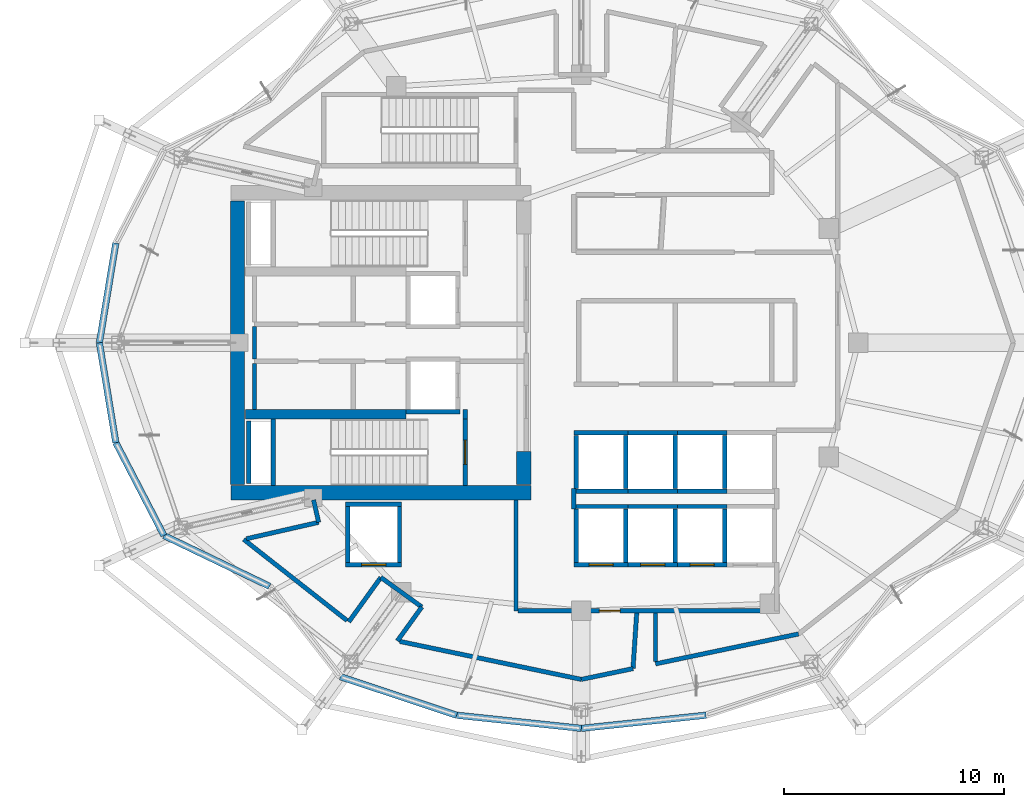
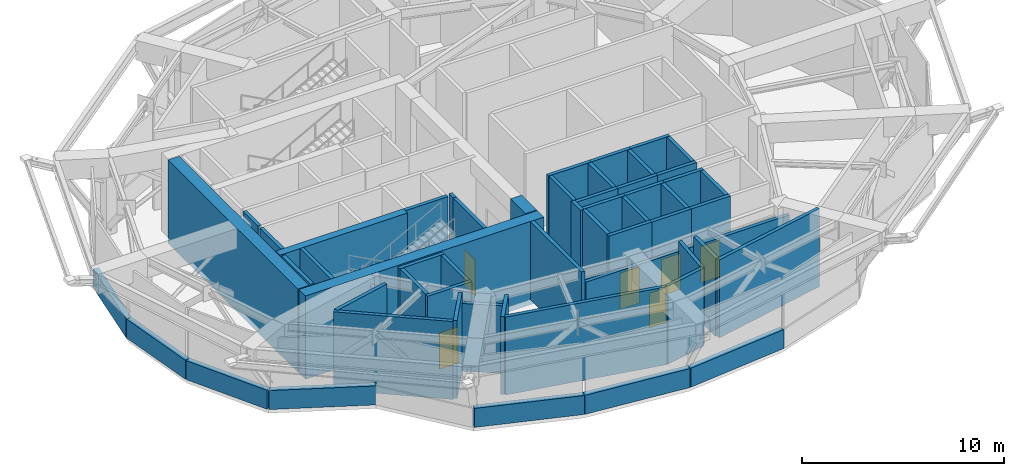
# One storey, part 8 of 13: 56 walls, 6 doors, 6 openings.
"""IFC4 building model written with IfcOpenShell, lengths in metres."""

from ifc_helpers import new_model, si_unit, direction, frame, frame_2d, origin, place, context, subcontext, project, spatial, rectangle, extrude, material, layer, layer_set, type_object, element, fill, save


model = new_model("IFC4")

# Units and contexts
model_context = context("Model", 3, precision=1e-05, world=origin(), true_north=direction((0.0, 1.0)))
body_context = subcontext(model_context, "Body", "Model", "MODEL_VIEW")
ifc_project = project(units=[si_unit("LENGTHUNIT", "METRE"), si_unit("AREAUNIT", "SQUARE_METRE"), si_unit("VOLUMEUNIT", "CUBIC_METRE"), si_unit("PLANEANGLEUNIT", "RADIAN"), si_unit("MASSUNIT", "GRAM", prefix="KILO")], contexts=[model_context])

# Site, building, storey
site_placement = place(None, origin())
site = spatial("IfcSite", under=ifc_project, at=site_placement, CompositionType="ELEMENT")
building_placement = place(site_placement, origin())
building = spatial("IfcBuilding", under=site, at=building_placement, Name="Kolvaren Gate Tower and Convention Centre", CompositionType="ELEMENT")
storey_placement = place(building_placement, frame((0.0, 0.0, 186.89990234375)))
storey = spatial("IfcBuildingStorey", under=building, at=storey_placement, Name="L49", CompositionType="ELEMENT", Elevation=186.89990234375)

# Walls
ifc_material_1 = material(Name="Autoclaved Aerated Masonry Blockwork Class 4 (4.0 MPa)", Category="masonry")
ifc_layer_1 = layer(ifc_material_1, 0.199951171875)
ifc_layer_set_1 = layer_set([ifc_layer_1], Name="Autoclaved Aerated Masonry Blockwork Class 4 (4.0 MPa)")
wall_type_1 = type_object("IfcWallType", Name="ARCH-WL-SHAFT-200", PredefinedType="SOLIDWALL", material=ifc_layer_set_1)
wall_1_placement = place(storey_placement, frame((22.14990234375, 23.860107421875, 0.0), z_axis=(0.0, 0.0, 1.0), x_axis=(1.0, 0.0, 0.0)))
element("IfcWall", 1, at=wall_1_placement, inside=storey, type_object=wall_type_1, Name="Elevator FF-02 L49 Fire Shaft Wall S", PredefinedType="SOLIDWALL", context=body_context, shape_type="SweptSolid", body=[
    extrude(rectangle(XDim=2.4501953125, YDim=0.199951171875, at=frame_2d((1.22509765625, 0.0))), origin(), (0.0, 0.0, 1.0), 4.72021484375),
])
wall_2_placement = place(storey_placement, frame((19.39990234375, 19.64990234375, 0.0), z_axis=(0.0, 0.0, 1.0), x_axis=(1.0, 0.0, 0.0)))
element("IfcWall", 2, at=wall_2_placement, inside=storey, type_object=wall_type_1, Name="Elevator SV-01 L49 Fire Shaft Wall N", PredefinedType="SOLIDWALL", context=body_context, shape_type="SweptSolid", body=[
    extrude(rectangle(XDim=2.550048828125, YDim=0.199951171875, at=frame_2d((1.27490234375, 0.0))), origin(), (0.0, 0.0, 1.0), 4.72021484375),
])

# Wall, opening, door
wall_3_placement = place(storey_placement, frame((19.39990234375, 16.89990234375, 0.0), z_axis=(0.0, 0.0, 1.0), x_axis=(1.0, 0.0, 0.0)))
wall_3 = element("IfcWall", 3, at=wall_3_placement, inside=storey, type_object=wall_type_1, Name="Elevator SV-01 L49 Fire Shaft Wall S", PredefinedType="SOLIDWALL", context=body_context, shape_type="SweptSolid", body=[
    extrude(rectangle(XDim=2.550048828125, YDim=0.199951171875, at=frame_2d((1.27490234375, 0.0))), origin(), (0.0, 0.0, 1.0), 4.72021484375),
])
opening_1_placement = place(wall_3_placement, frame((0.72509765625, 0.0, 0.0)))
opening_1 = element("IfcOpeningElement", 4, at=opening_1_placement, cuts=wall_3, Name="Opening LD", PredefinedType="OPENING", context=body_context, shape_type="SweptSolid", body=[
    extrude(rectangle(XDim=1.10009765625, YDim=2.199951171875, at=frame_2d((0.550048828125, 1.10009765625))), frame((0.0, 0.10986328125, 0.0), z_axis=(0.0, -1.0, 0.0), x_axis=(1.0, 0.0, 0.0)), (0.0, 0.0, 1.0), 0.219970703125),
])
ifc_material_2 = material(Name="Brushed Stainless Steel Grade 316L", Category="steel")
door_type_1 = type_object("IfcDoorType", Name="ARCH-DR-LIFT-1100", OperationType="SLIDING_TO_LEFT", PredefinedType="DOOR", material=ifc_material_2)
door_1_placement = place(opening_1_placement, origin())
door_1 = element("IfcDoor", 5, at=door_1_placement, inside=storey, type_object=door_type_1, Name="Elevator SV-01 L49 Sliding Landing Door", OperationType="SLIDING_TO_LEFT", OverallHeight=2.199951171875, OverallWidth=1.10009765625, PredefinedType="DOOR", context=body_context, shape_type="SweptSolid", body=[
    extrude(rectangle(XDim=1.10009765625, YDim=2.199951171875, at=frame_2d((0.550048828125, 1.10009765625))), frame((0.0, 0.02490234375, 0.0), z_axis=(0.0, -1.0, 0.0), x_axis=(1.0, 0.0, 0.0)), (0.0, 0.0, 1.0), 0.050048828125),
])
fill(opening_1, door_1)

# Walls
for number, where, z_axis, x_axis, name in (
    (6, (19.5, 17.010009765625, 0.0), (0.0, 0.0, 1.0), (0.0, 1.0, 0.0), "Elevator SV-01 L49 Fire Shaft Wall W"),
    (7, (21.85009765625, 17.010009765625, 0.0), (0.0, 0.0, 1.0), (0.0, 1.0, 0.0), "Elevator SV-01 L49 Fire Shaft Wall E"),
):
    element("IfcWall", number, at=place(storey_placement, frame(where, z_axis=z_axis, x_axis=x_axis)), inside=storey, type_object=wall_type_1, Name=name, PredefinedType="SOLIDWALL", context=body_context, shape_type="SweptSolid", body=[
        extrude(rectangle(XDim=2.530029296875, YDim=0.199951171875, at=frame_2d((1.26513671875, 0.0))), origin(), (0.0, 0.0, 1.0), 4.72021484375),
    ])
wall_4_placement = place(storey_placement, frame((29.800048828125, 19.550048828125, 0.0), z_axis=(0.0, 0.0, 1.0), x_axis=(1.0, 0.0, 0.0)))
element("IfcWall", 8, at=wall_4_placement, inside=storey, type_object=wall_type_1, Name="Elevator PL-05 L49 Fire Shaft Wall N", PredefinedType="SOLIDWALL", context=body_context, shape_type="SweptSolid", body=[
    extrude(rectangle(XDim=2.449951171875, YDim=0.199951171875, at=frame_2d((1.22509765625, 0.0))), origin(), (0.0, 0.0, 1.0), 4.72021484375),
])

# Wall, opening, door
wall_5_placement = place(storey_placement, frame((29.800048828125, 16.89990234375, 0.0), z_axis=(0.0, 0.0, 1.0), x_axis=(1.0, 0.0, 0.0)))
wall_5 = element("IfcWall", 9, at=wall_5_placement, inside=storey, type_object=wall_type_1, Name="Elevator PL-05 L49 Fire Shaft Wall S", PredefinedType="SOLIDWALL", context=body_context, shape_type="SweptSolid", body=[
    extrude(rectangle(XDim=2.449951171875, YDim=0.199951171875, at=frame_2d((1.22509765625, 0.0))), origin(), (0.0, 0.0, 1.0), 4.72021484375),
])
opening_2_placement = place(wall_5_placement, frame((0.675048828125, 0.0, 0.0)))
opening_2 = element("IfcOpeningElement", 10, at=opening_2_placement, cuts=wall_5, Name="Opening LD", PredefinedType="OPENING", context=body_context, shape_type="SweptSolid", body=[
    extrude(rectangle(XDim=1.10009765625, YDim=2.199951171875, at=frame_2d((0.550048828125, 1.10009765625))), frame((0.0, 0.10986328125, 0.0), z_axis=(0.0, -1.0, 0.0), x_axis=(1.0, 0.0, 0.0)), (0.0, 0.0, 1.0), 0.219970703125),
])
door_2_placement = place(opening_2_placement, origin())
door_2 = element("IfcDoor", 11, at=door_2_placement, inside=storey, type_object=door_type_1, Name="Elevator PL-05 L49 Sliding Landing Door", OperationType="SLIDING_TO_LEFT", OverallHeight=2.199951171875, OverallWidth=1.10009765625, PredefinedType="DOOR", context=body_context, shape_type="SweptSolid", body=[
    extrude(rectangle(XDim=1.10009765625, YDim=2.199951171875, at=frame_2d((0.550048828125, 1.10009765625))), frame((0.0, 0.02490234375, 0.0), z_axis=(0.0, -1.0, 0.0), x_axis=(1.0, 0.0, 0.0)), (0.0, 0.0, 1.0), 0.050048828125),
])
fill(opening_2, door_2)

# Walls
for number, where, z_axis, x_axis, name in (
    (12, (29.89990234375, 17.010009765625, 0.0), (0.0, 0.0, 1.0), (0.0, 1.0, 0.0), "Elevator PL-05 L49 Fire Shaft Wall W"),
    (13, (32.14990234375, 17.010009765625, 0.0), (0.0, 0.0, 1.0), (0.0, 1.0, 0.0), "Elevator PL-05 L49 Fire Shaft Wall E"),
):
    element("IfcWall", number, at=place(storey_placement, frame(where, z_axis=z_axis, x_axis=x_axis)), inside=storey, type_object=wall_type_1, Name=name, PredefinedType="SOLIDWALL", context=body_context, shape_type="SweptSolid", body=[
        extrude(rectangle(XDim=2.429931640625, YDim=0.199951171875, at=frame_2d((1.21484375, 0.0))), origin(), (0.0, 0.0, 1.0), 4.72021484375),
    ])
wall_6_placement = place(storey_placement, frame((32.25, 19.550048828125, 0.0), z_axis=(0.0, 0.0, 1.0), x_axis=(1.0, 0.0, 0.0)))
element("IfcWall", 14, at=wall_6_placement, inside=storey, type_object=wall_type_1, Name="Elevator PL-06 L49 Fire Shaft Wall N", PredefinedType="SOLIDWALL", context=body_context, shape_type="SweptSolid", body=[
    extrude(rectangle(XDim=2.25, YDim=0.199951171875, at=frame_2d((1.125, 0.0))), origin(), (0.0, 0.0, 1.0), 4.72021484375),
])

# Wall, opening, door
wall_7_placement = place(storey_placement, frame((32.25, 16.89990234375, 0.0), z_axis=(0.0, 0.0, 1.0), x_axis=(1.0, 0.0, 0.0)))
wall_7 = element("IfcWall", 15, at=wall_7_placement, inside=storey, type_object=wall_type_1, Name="Elevator PL-06 L49 Fire Shaft Wall S", PredefinedType="SOLIDWALL", context=body_context, shape_type="SweptSolid", body=[
    extrude(rectangle(XDim=2.25, YDim=0.199951171875, at=frame_2d((1.125, 0.0))), origin(), (0.0, 0.0, 1.0), 4.72021484375),
])
opening_3_placement = place(wall_7_placement, frame((0.574951171875, 0.0, 0.0)))
opening_3 = element("IfcOpeningElement", 16, at=opening_3_placement, cuts=wall_7, Name="Opening LD", PredefinedType="OPENING", context=body_context, shape_type="SweptSolid", body=[
    extrude(rectangle(XDim=1.10009765625, YDim=2.199951171875, at=frame_2d((0.550048828125, 1.10009765625))), frame((0.0, 0.10986328125, 0.0), z_axis=(0.0, -1.0, 0.0), x_axis=(1.0, 0.0, 0.0)), (0.0, 0.0, 1.0), 0.219970703125),
])
door_3_placement = place(opening_3_placement, origin())
door_3 = element("IfcDoor", 17, at=door_3_placement, inside=storey, type_object=door_type_1, Name="Elevator PL-06 L49 Sliding Landing Door", OperationType="SLIDING_TO_LEFT", OverallHeight=2.199951171875, OverallWidth=1.10009765625, PredefinedType="DOOR", context=body_context, shape_type="SweptSolid", body=[
    extrude(rectangle(XDim=1.10009765625, YDim=2.199951171875, at=frame_2d((0.550048828125, 1.10009765625))), frame((0.0, 0.02490234375, 0.0), z_axis=(0.0, -1.0, 0.0), x_axis=(1.0, 0.0, 0.0)), (0.0, 0.0, 1.0), 0.050048828125),
])
fill(opening_3, door_3)

# Walls
wall_8_placement = place(storey_placement, frame((34.39990234375, 17.010009765625, 0.0), z_axis=(0.0, 0.0, 1.0), x_axis=(0.0, 1.0, 0.0)))
element("IfcWall", 18, at=wall_8_placement, inside=storey, type_object=wall_type_1, Name="Elevator PL-06 L49 Fire Shaft Wall E", PredefinedType="SOLIDWALL", context=body_context, shape_type="SweptSolid", body=[
    extrude(rectangle(XDim=2.429931640625, YDim=0.199951171875, at=frame_2d((1.21484375, 0.0))), origin(), (0.0, 0.0, 1.0), 4.72021484375),
])
wall_9_placement = place(storey_placement, frame((34.5, 19.550048828125, 0.0), z_axis=(0.0, 0.0, 1.0), x_axis=(1.0, 0.0, 0.0)))
element("IfcWall", 19, at=wall_9_placement, inside=storey, type_object=wall_type_1, Name="Elevator PL-07 L49 Fire Shaft Wall N", PredefinedType="SOLIDWALL", context=body_context, shape_type="SweptSolid", body=[
    extrude(rectangle(XDim=2.25, YDim=0.199951171875, at=frame_2d((1.125, 0.0))), origin(), (0.0, 0.0, 1.0), 4.72021484375),
])

# Wall, opening, door
wall_10_placement = place(storey_placement, frame((34.5, 16.89990234375, 0.0), z_axis=(0.0, 0.0, 1.0), x_axis=(1.0, 0.0, 0.0)))
wall_10 = element("IfcWall", 20, at=wall_10_placement, inside=storey, type_object=wall_type_1, Name="Elevator PL-07 L49 Fire Shaft Wall S", PredefinedType="SOLIDWALL", context=body_context, shape_type="SweptSolid", body=[
    extrude(rectangle(XDim=2.25, YDim=0.199951171875, at=frame_2d((1.125, 0.0))), origin(), (0.0, 0.0, 1.0), 4.72021484375),
])
opening_4_placement = place(wall_10_placement, frame((0.574951171875, 0.0, 0.0)))
opening_4 = element("IfcOpeningElement", 21, at=opening_4_placement, cuts=wall_10, Name="Opening LD", PredefinedType="OPENING", context=body_context, shape_type="SweptSolid", body=[
    extrude(rectangle(XDim=1.10009765625, YDim=2.199951171875, at=frame_2d((0.550048828125, 1.10009765625))), frame((0.0, 0.10986328125, 0.0), z_axis=(0.0, -1.0, 0.0), x_axis=(1.0, 0.0, 0.0)), (0.0, 0.0, 1.0), 0.219970703125),
])
door_4_placement = place(opening_4_placement, origin())
door_4 = element("IfcDoor", 22, at=door_4_placement, inside=storey, type_object=door_type_1, Name="Elevator PL-07 L49 Sliding Landing Door", OperationType="SLIDING_TO_LEFT", OverallHeight=2.199951171875, OverallWidth=1.10009765625, PredefinedType="DOOR", context=body_context, shape_type="SweptSolid", body=[
    extrude(rectangle(XDim=1.10009765625, YDim=2.199951171875, at=frame_2d((0.550048828125, 1.10009765625))), frame((0.0, 0.02490234375, 0.0), z_axis=(0.0, -1.0, 0.0), x_axis=(1.0, 0.0, 0.0)), (0.0, 0.0, 1.0), 0.050048828125),
])
fill(opening_4, door_4)

# Walls
wall_11_placement = place(storey_placement, frame((36.64990234375, 17.010009765625, 0.0), z_axis=(0.0, 0.0, 1.0), x_axis=(0.0, 1.0, 0.0)))
element("IfcWall", 23, at=wall_11_placement, inside=storey, type_object=wall_type_1, Name="Elevator PL-07 L49 Fire Shaft Wall E", PredefinedType="SOLIDWALL", context=body_context, shape_type="SweptSolid", body=[
    extrude(rectangle(XDim=2.429931640625, YDim=0.199951171875, at=frame_2d((1.21484375, 0.0))), origin(), (0.0, 0.0, 1.0), 4.72021484375),
])
for number, where, z_axis, x_axis, name in (
    (24, (29.800048828125, 22.89990234375, 0.0), (0.0, 0.0, 1.0), (1.0, 0.0, 0.0), "Elevator PL-09 L49 Fire Shaft Wall N"),
    (25, (29.800048828125, 20.25, 0.0), (0.0, 0.0, 1.0), (1.0, 0.0, 0.0), "Elevator PL-09 L49 Fire Shaft Wall S"),
):
    element("IfcWall", number, at=place(storey_placement, frame(where, z_axis=z_axis, x_axis=x_axis)), inside=storey, type_object=wall_type_1, Name=name, PredefinedType="SOLIDWALL", context=body_context, shape_type="SweptSolid", body=[
        extrude(rectangle(XDim=2.449951171875, YDim=0.199951171875, at=frame_2d((1.22509765625, 0.0))), origin(), (0.0, 0.0, 1.0), 4.72021484375),
    ])
for number, where, z_axis, x_axis, name in (
    (26, (29.89990234375, 20.360107421875, 0.0), (0.0, 0.0, 1.0), (0.0, 1.0, 0.0), "Elevator PL-09 L49 Fire Shaft Wall W"),
    (27, (32.14990234375, 20.360107421875, 0.0), (0.0, 0.0, 1.0), (0.0, 1.0, 0.0), "Elevator PL-09 L49 Fire Shaft Wall E"),
):
    element("IfcWall", number, at=place(storey_placement, frame(where, z_axis=z_axis, x_axis=x_axis)), inside=storey, type_object=wall_type_1, Name=name, PredefinedType="SOLIDWALL", context=body_context, shape_type="SweptSolid", body=[
        extrude(rectangle(XDim=2.429931640625, YDim=0.199951171875, at=frame_2d((1.21484375, 0.0))), origin(), (0.0, 0.0, 1.0), 4.72021484375),
    ])
for number, where, z_axis, x_axis, name in (
    (28, (32.25, 22.89990234375, 0.0), (0.0, 0.0, 1.0), (1.0, 0.0, 0.0), "Elevator PL-10 L49 Fire Shaft Wall N"),
    (29, (32.25, 20.25, 0.0), (0.0, 0.0, 1.0), (1.0, 0.0, 0.0), "Elevator PL-10 L49 Fire Shaft Wall S"),
):
    element("IfcWall", number, at=place(storey_placement, frame(where, z_axis=z_axis, x_axis=x_axis)), inside=storey, type_object=wall_type_1, Name=name, PredefinedType="SOLIDWALL", context=body_context, shape_type="SweptSolid", body=[
        extrude(rectangle(XDim=2.25, YDim=0.199951171875, at=frame_2d((1.125, 0.0))), origin(), (0.0, 0.0, 1.0), 4.72021484375),
    ])
wall_12_placement = place(storey_placement, frame((34.39990234375, 20.360107421875, 0.0), z_axis=(0.0, 0.0, 1.0), x_axis=(0.0, 1.0, 0.0)))
element("IfcWall", 30, at=wall_12_placement, inside=storey, type_object=wall_type_1, Name="Elevator PL-10 L49 Fire Shaft Wall E", PredefinedType="SOLIDWALL", context=body_context, shape_type="SweptSolid", body=[
    extrude(rectangle(XDim=2.429931640625, YDim=0.199951171875, at=frame_2d((1.21484375, 0.0))), origin(), (0.0, 0.0, 1.0), 4.72021484375),
])
for number, where, z_axis, x_axis, name in (
    (31, (34.5, 22.89990234375, 0.0), (0.0, 0.0, 1.0), (1.0, 0.0, 0.0), "Elevator PL-11 L49 Fire Shaft Wall N"),
    (32, (34.5, 20.25, 0.0), (0.0, 0.0, 1.0), (1.0, 0.0, 0.0), "Elevator PL-11 L49 Fire Shaft Wall S"),
):
    element("IfcWall", number, at=place(storey_placement, frame(where, z_axis=z_axis, x_axis=x_axis)), inside=storey, type_object=wall_type_1, Name=name, PredefinedType="SOLIDWALL", context=body_context, shape_type="SweptSolid", body=[
        extrude(rectangle(XDim=2.25, YDim=0.199951171875, at=frame_2d((1.125, 0.0))), origin(), (0.0, 0.0, 1.0), 4.72021484375),
    ])
wall_13_placement = place(storey_placement, frame((36.64990234375, 20.360107421875, 0.0), z_axis=(0.0, 0.0, 1.0), x_axis=(0.0, 1.0, 0.0)))
element("IfcWall", 33, at=wall_13_placement, inside=storey, type_object=wall_type_1, Name="Elevator PL-11 L49 Fire Shaft Wall E", PredefinedType="SOLIDWALL", context=body_context, shape_type="SweptSolid", body=[
    extrude(rectangle(XDim=2.429931640625, YDim=0.199951171875, at=frame_2d((1.21484375, 0.0))), origin(), (0.0, 0.0, 1.0), 4.72021484375),
])
wall_14_placement = place(storey_placement, frame((14.989990234375, 20.60009765625, 0.0), z_axis=(0.0, 0.0, 1.0), x_axis=(0.0, 1.0, 0.0)))
element("IfcWall", 34, at=wall_14_placement, inside=storey, type_object=wall_type_1, Name="Vertical Shaft MPR L49 EI-120 Enclosure Wall W", PredefinedType="SOLIDWALL", context=body_context, shape_type="SweptSolid", body=[
    extrude(rectangle(XDim=2.849853515625, YDim=0.199951171875, at=frame_2d((1.4248046875, 0.0))), origin(), (0.0, 0.0, 1.0), 4.72021484375),
])
wall_15_placement = place(storey_placement, frame((24.85009765625, 23.5400390625, 0.0), z_axis=(0.0, 0.0, 1.0), x_axis=(0.0, 1.0, 0.0)))
element("IfcWall", 35, at=wall_15_placement, inside=storey, type_object=wall_type_1, Name="Interior Partition WL-L49-INT-001", PredefinedType="SOLIDWALL", context=body_context, shape_type="SweptSolid", body=[
    extrude(rectangle(XDim=0.419921875, YDim=0.199951171875, at=frame_2d((0.2099609375, 0.0))), origin(), (0.0, 0.0, 1.0), 4.72021484375),
])
wall_16_placement = place(storey_placement, frame((15.25, 23.9619140625, 0.0), z_axis=(0.0, 0.0, 1.0), x_axis=(0.0, 1.0, 0.0)))
element("IfcWall", 36, at=wall_16_placement, inside=storey, type_object=wall_type_1, Name="Interior Partition WL-L49-INT-006", PredefinedType="SOLIDWALL", context=body_context, shape_type="SweptSolid", body=[
    extrude(rectangle(XDim=2.09619140625, YDim=0.199951171875, at=frame_2d((1.048095703125, 0.0))), origin(), (0.0, 0.0, 1.0), 4.72021484375),
])
wall_17_placement = place(storey_placement, frame((15.25, 26.261962890625, 0.0), z_axis=(0.0, 0.0, 1.0), x_axis=(0.0, 1.0, 0.0)))
element("IfcWall", 37, at=wall_17_placement, inside=storey, type_object=wall_type_1, Name="Interior Partition WL-L49-INT-006 (2)", PredefinedType="SOLIDWALL", context=body_context, shape_type="SweptSolid", body=[
    extrude(rectangle(XDim=1.47607421875, YDim=0.199951171875, at=frame_2d((0.738037109375, 0.0))), origin(), (0.0, 0.0, 1.0), 4.72021484375),
])
wall_18_placement = place(storey_placement, frame((27.14990234375, 14.800048828125, 0.0), z_axis=(0.0, 0.0, 1.0), x_axis=(0.0, 1.0, 0.0)))
element("IfcWall", 38, at=wall_18_placement, inside=storey, type_object=wall_type_1, Name="Interior Partition WL-L49-INT-015", PredefinedType="SOLIDWALL", context=body_context, shape_type="SweptSolid", body=[
    extrude(rectangle(XDim=5.0478515625, YDim=0.199951171875, at=frame_2d((2.52392578125, 0.0))), origin(), (0.0, 0.0, 1.0), 4.72021484375),
])
wall_19_placement = place(storey_placement, frame((29.780029296875, 19.43994140625, 0.0), z_axis=(0.0, 0.0, 1.0), x_axis=(0.0, 1.0, 0.0)))
element("IfcWall", 39, at=wall_19_placement, inside=storey, type_object=wall_type_1, Name="Interior Partition WL-L49-INT-018", PredefinedType="SOLIDWALL", context=body_context, shape_type="SweptSolid", body=[
    extrude(rectangle(XDim=0.920166015625, YDim=0.199951171875, at=frame_2d((0.4599609375, 0.0))), origin(), (0.0, 0.0, 1.0), 4.72021484375),
])

# Wall, opening, door
wall_20_placement = place(storey_placement, frame((27.251953125, 14.800048828125, 0.0), z_axis=(0.0, 0.0, 1.0), x_axis=(1.0, 0.0, 0.0)))
wall_20 = element("IfcWall", 40, at=wall_20_placement, inside=storey, type_object=wall_type_1, Name="Interior Partition WL-L49-INT-027", PredefinedType="SOLIDWALL", context=body_context, shape_type="SweptSolid", body=[
    extrude(rectangle(XDim=11.666015625, YDim=0.199951171875, at=frame_2d((5.8330078125, 0.0))), origin(), (0.0, 0.0, 1.0), 4.09521484375),
])
opening_5_placement = place(wall_20_placement, frame((3.69091796875, 0.0, 0.0)))
opening_5 = element("IfcOpeningElement", 41, at=opening_5_placement, cuts=wall_20, Name="Opening DR-01", PredefinedType="OPENING", context=body_context, shape_type="SweptSolid", body=[
    extrude(rectangle(XDim=0.949951171875, YDim=2.10009765625, at=frame_2d((0.47509765625, 1.050048828125))), frame((0.0, 0.10986328125, 0.0), z_axis=(0.0, -1.0, 0.0), x_axis=(1.0, 0.0, 0.0)), (0.0, 0.0, 1.0), 0.219970703125),
])
ifc_material_3 = material(Name="Painted Architectural Steelwork ASTM A500 Grade C 345 MPa", Category="steel")
door_type_2 = type_object("IfcDoorType", Name="ARCH-DR-RISER-950", OperationType="SINGLE_SWING_RIGHT", PredefinedType="DOOR", material=ifc_material_3)
door_5_placement = place(opening_5_placement, origin())
door_5 = element("IfcDoor", 42, at=door_5_placement, inside=storey, type_object=door_type_2, Name="High-Altitude HVAC Air-Handling Plant Room Door", OperationType="SINGLE_SWING_LEFT", OverallHeight=2.10009765625, OverallWidth=0.949951171875, PredefinedType="DOOR", context=body_context, shape_type="SweptSolid", body=[
    extrude(rectangle(XDim=0.949951171875, YDim=2.10009765625, at=frame_2d((0.47509765625, 1.050048828125))), frame((0.0, 0.02490234375, 0.0), z_axis=(0.0, -1.0, 0.0), x_axis=(1.0, 0.0, 0.0)), (0.0, 0.0, 1.0), 0.050048828125),
])
fill(opening_5, door_5)

# Walls
wall_21_placement = place(storey_placement, frame((30.125, 11.678955078125, 0.0), z_axis=(0.0, 0.0, 1.0), x_axis=(0.978816191304, 0.204740967179, 0.0)))
element("IfcWall", 43, at=wall_21_placement, inside=storey, type_object=wall_type_1, Name="Interior Partition WL-L49-INT-033", PredefinedType="SOLIDWALL", context=body_context, shape_type="SweptSolid", body=[
    extrude(rectangle(XDim=2.404052734375, YDim=0.199951171875, at=frame_2d((1.2021484375, 0.0))), origin(), (0.0, 0.0, 1.0), 4.72021484375),
])
wall_22_placement = place(storey_placement, frame((33.5, 12.385009765625, 0.0), z_axis=(0.0, 0.0, 1.0), x_axis=(0.978811842639, 0.204761755974, 0.0)))
element("IfcWall", 44, at=wall_22_placement, inside=storey, type_object=wall_type_1, Name="Interior Partition WL-L49-INT-034", PredefinedType="SOLIDWALL", context=body_context, shape_type="SweptSolid", body=[
    extrude(rectangle(XDim=6.65185546875, YDim=0.199951171875, at=frame_2d((3.325927734375, 0.0))), origin(), (0.0, 0.0, 1.0), 4.72021484375),
])
wall_23_placement = place(storey_placement, frame((33.5, 12.4892578125, 0.0), z_axis=(0.0, 0.0, 1.0), x_axis=(0.0, 1.0, 0.0)))
element("IfcWall", 45, at=wall_23_placement, inside=storey, type_object=wall_type_1, Name="Interior Partition WL-L49-INT-035", PredefinedType="SOLIDWALL", context=body_context, shape_type="SweptSolid", body=[
    extrude(rectangle(XDim=2.208740234375, YDim=0.199951171875, at=frame_2d((1.1044921875, 0.0))), origin(), (0.0, 0.0, 1.0), 4.72021484375),
])
wall_24_placement = place(storey_placement, frame((21.7509765625, 13.430908203125, 0.0), z_axis=(0.0, 0.0, 1.0), x_axis=(0.585064462576, 0.810986790663, 0.0)))
element("IfcWall", 46, at=wall_24_placement, inside=storey, type_object=wall_type_1, Name="Interior Partition WL-L49-INT-036", PredefinedType="SOLIDWALL", context=body_context, shape_type="SweptSolid", body=[
    extrude(rectangle(XDim=1.904052734375, YDim=0.199951171875, at=frame_2d((0.9521484375, 0.0))), origin(), (0.0, 0.0, 1.0), 4.72021484375),
])
wall_25_placement = place(storey_placement, frame((21.0, 16.321044921875, 0.0), z_axis=(0.0, 0.0, 1.0), x_axis=(0.81088351332, -0.585207593786, 0.0)))
element("IfcWall", 47, at=wall_25_placement, inside=storey, type_object=wall_type_1, Name="Interior Partition WL-L49-INT-038", PredefinedType="SOLIDWALL", context=body_context, shape_type="SweptSolid", body=[
    extrude(rectangle(XDim=2.300048828125, YDim=0.199951171875, at=frame_2d((1.14990234375, 0.0))), origin(), (0.0, 0.0, 1.0), 4.09521484375),
])
wall_26_placement = place(storey_placement, frame((19.5390625, 14.297119140625, 0.0), z_axis=(0.0, 0.0, 1.0), x_axis=(0.585283411791, 0.810828790733, 0.0)))
element("IfcWall", 48, at=wall_26_placement, inside=storey, type_object=wall_type_1, Name="Interior Partition WL-L49-INT-039", PredefinedType="SOLIDWALL", context=body_context, shape_type="SweptSolid", body=[
    extrude(rectangle(XDim=2.49609375, YDim=0.199951171875, at=frame_2d((1.248046875, 0.0))), origin(), (0.0, 0.0, 1.0), 4.72021484375),
])
wall_27_placement = place(storey_placement, frame((14.757080078125, 18.052001953125, 0.0), z_axis=(0.0, 0.0, 1.0), x_axis=(0.786502536139, -0.617587047019, 0.0)))
element("IfcWall", 49, at=wall_27_placement, inside=storey, type_object=wall_type_1, Name="Interior Partition WL-L49-INT-041", PredefinedType="SOLIDWALL", context=body_context, shape_type="SweptSolid", body=[
    extrude(rectangle(XDim=5.97802734375, YDim=0.199951171875, at=frame_2d((2.989013671875, 0.0))), origin(), (0.0, 0.0, 1.0), 4.72021484375),
])
wall_28_placement = place(storey_placement, frame((14.885009765625, 18.081298828125, 0.0), z_axis=(0.0, 0.0, 1.0), x_axis=(0.975039488854, 0.222031518427, 0.0)))
element("IfcWall", 50, at=wall_28_placement, inside=storey, type_object=wall_type_1, Name="Interior Partition WL-L49-INT-042", PredefinedType="SOLIDWALL", context=body_context, shape_type="SweptSolid", body=[
    extrude(rectangle(XDim=3.367919921875, YDim=0.199951171875, at=frame_2d((1.68408203125, 0.0))), origin(), (0.0, 0.0, 1.0), 4.72021484375),
])
wall_29_placement = place(storey_placement, frame((17.937255859375, 19.847900390625, 0.0), z_axis=(0.0, 0.0, 1.0), x_axis=(0.221752397237, -0.97510300703, 0.0)))
element("IfcWall", 51, at=wall_29_placement, inside=storey, type_object=wall_type_1, Name="Interior Partition WL-L49-INT-043", PredefinedType="SOLIDWALL", context=body_context, shape_type="SweptSolid", body=[
    extrude(rectangle(XDim=1.044921875, YDim=0.199951171875, at=frame_2d((0.5224609375, 0.0))), origin(), (0.0, 0.0, 1.0), 4.09521484375),
])
wall_30_placement = place(storey_placement, frame((32.47802734375, 12.171142578125, 0.0), z_axis=(0.0, 0.0, 1.0), x_axis=(0.066423031806, 0.997791551801, 0.0)))
element("IfcWall", 52, at=wall_30_placement, inside=storey, type_object=wall_type_1, Name="Interior Partition WL-L49-INT-044", PredefinedType="SOLIDWALL", context=body_context, shape_type="SweptSolid", body=[
    extrude(rectangle(XDim=2.532470703125, YDim=0.199951171875, at=frame_2d((1.26611328125, 0.0))), origin(), (0.0, 0.0, 1.0), 4.72021484375),
])
wall_31_placement = place(storey_placement, frame((21.8603515625, 13.408203125, 0.0), z_axis=(0.0, 0.0, 1.0), x_axis=(0.978803971654, -0.204799377621, 0.0)))
element("IfcWall", 53, at=wall_31_placement, inside=storey, type_object=wall_type_1, Name="Interior Partition WL-L49-INT-047", PredefinedType="SOLIDWALL", context=body_context, shape_type="SweptSolid", body=[
    extrude(rectangle(XDim=8.443603515625, YDim=0.199951171875, at=frame_2d((4.2216796875, 0.0))), origin(), (0.0, 0.0, 1.0), 4.72021484375),
])
ifc_material_4 = material(Name="Piedmont Cream Honed Limestone Cladding", Category="masonry")
ifc_layer_2 = layer(ifc_material_4, 0.300048828125)
ifc_layer_set_2 = layer_set([ifc_layer_2], Name="Piedmont Cream Honed Limestone Cladding")
wall_type_2 = type_object("IfcWallType", Name="ARCH-WL-STONE-300", PredefinedType="SOLIDWALL", material=ifc_layer_set_2)
for number, where, z_axis, x_axis, name in (
    (54, (8.1875, 27.0, 0.0), (0.0, 0.0, 1.0), (0.162394765401, 0.986725868806, 0.0), "Plant Floor L49 Stone Sill Wall EW-11"),
    (55, (8.1875, 27.0, 0.0), (0.0, 0.0, 1.0), (0.162394765401, -0.986725868806, 0.0), "Plant Floor L49 Stone Sill Wall EW-12"),
):
    element("IfcWall", number, at=place(storey_placement, frame(where, z_axis=z_axis, x_axis=x_axis)), inside=storey, type_object=wall_type_2, Name=name, PredefinedType="SOLIDWALL", context=body_context, shape_type="SweptSolid", body=[
        extrude(rectangle(XDim=4.603271484375, YDim=0.300048828125, at=frame_2d((2.3017578125, 0.0))), origin(), (0.0, 0.0, 1.0), 1.150146484375),
    ])
wall_32_placement = place(storey_placement, frame((8.93505859375, 22.457763671875, 0.0), z_axis=(0.0, 0.0, 1.0), x_axis=(0.459810251451, -0.888017191647, 0.0)))
element("IfcWall", 56, at=wall_32_placement, inside=storey, type_object=wall_type_2, Name="Plant Floor L49 Stone Sill Wall EW-13", PredefinedType="SOLIDWALL", context=body_context, shape_type="SweptSolid", body=[
    extrude(rectangle(XDim=4.766357421875, YDim=0.300048828125, at=frame_2d((2.38330078125, 0.0))), origin(), (0.0, 0.0, 1.0), 1.150146484375),
])
wall_33_placement = place(storey_placement, frame((11.126708984375, 18.22509765625, 0.0), z_axis=(0.0, 0.0, 1.0), x_axis=(0.901353070301, -0.433085029363, 0.0)))
element("IfcWall", 57, at=wall_33_placement, inside=storey, type_object=wall_type_2, Name="Plant Floor L49 Stone Sill Wall EW-14", PredefinedType="SOLIDWALL", context=body_context, shape_type="SweptSolid", body=[
    extrude(rectangle(XDim=5.336181640625, YDim=0.300048828125, at=frame_2d((2.66796875, 0.0))), origin(), (0.0, 0.0, 1.0), 1.150146484375),
])
wall_34_placement = place(storey_placement, frame((19.15625, 11.80126953125, 0.0), z_axis=(0.0, 0.0, 1.0), x_axis=(0.949246811547, -0.314532177636, 0.0)))
element("IfcWall", 58, at=wall_34_placement, inside=storey, type_object=wall_type_2, Name="Plant Floor L49 Stone Sill Wall EW-16", PredefinedType="SOLIDWALL", context=body_context, shape_type="SweptSolid", body=[
    extrude(rectangle(XDim=5.573974609375, YDim=0.300048828125, at=frame_2d((2.787109375, 0.0))), origin(), (0.0, 0.0, 1.0), 1.150146484375),
])
for number, where, z_axis, x_axis, name in (
    (59, (24.447265625, 10.048095703125, 0.0), (0.0, 0.0, 1.0), (0.994496545245, -0.104769372887, 0.0), "Plant Floor L49 Stone Sill Wall EW-17"),
    (60, (30.125, 9.449951171875, 0.0), (0.0, 0.0, 1.0), (0.994496545245, 0.104769372887, 0.0), "Plant Floor L49 Stone Sill Wall EW-18"),
):
    element("IfcWall", number, at=place(storey_placement, frame(where, z_axis=z_axis, x_axis=x_axis)), inside=storey, type_object=wall_type_2, Name=name, PredefinedType="SOLIDWALL", context=body_context, shape_type="SweptSolid", body=[
        extrude(rectangle(XDim=5.709228515625, YDim=0.300048828125, at=frame_2d((2.8544921875, 0.0))), origin(), (0.0, 0.0, 1.0), 1.150146484375),
    ])
ifc_material_5 = material(Name="Concrete C50/60", Category="concrete")
ifc_layer_3 = layer(ifc_material_5, 0.419921875)
ifc_layer_set_3 = layer_set([ifc_layer_3], Name="Concrete C50/60")
wall_type_3 = type_object("IfcWallType", Name="STR-WL-CONV-420", PredefinedType="SHEAR", material=ifc_layer_set_3)
wall_35_placement = place(storey_placement, frame((14.85009765625, 23.75, -0.31982421875), z_axis=(0.0, 0.0, 1.0), x_axis=(1.0, 0.0, 0.0)))
element("IfcWall", 61, at=wall_35_placement, inside=storey, type_object=wall_type_3, Name="Tower L49 Offset Core Shear Wall WS", PredefinedType="SHEAR", context=body_context, shape_type="SweptSolid", body=[
    extrude(rectangle(XDim=7.2998046875, YDim=0.419921875, at=frame_2d((3.64990234375, 0.0))), origin(), (0.0, 0.0, 1.0), 5.0400390625),
])
ifc_material_6 = material(Name="Concrete C60/75", Category="concrete")
ifc_layer_4 = layer(ifc_material_6, 0.64990234375)
ifc_layer_set_4 = layer_set([ifc_layer_4], Name="Concrete C60/75")
wall_type_4 = type_object("IfcWallType", Name="STR-WL-CORE-650", PredefinedType="SHEAR", material=ifc_layer_set_4)
wall_36_placement = place(storey_placement, frame((14.175048828125, 20.175048828125, -0.31982421875), z_axis=(0.0, 0.0, 1.0), x_axis=(1.0, 0.0, 0.0)))
element("IfcWall", 62, at=wall_36_placement, inside=storey, type_object=wall_type_4, Name="Tower L49 Offset Core Shear Wall S", PredefinedType="SHEAR", context=body_context, shape_type="SweptSolid", body=[
    extrude(rectangle(XDim=13.64990234375, YDim=0.64990234375, at=frame_2d((6.824951171875, 0.0))), origin(), (0.0, 0.0, 1.0), 5.0400390625),
])
wall_37_placement = place(storey_placement, frame((14.47509765625, 20.550048828125, -0.31982421875), z_axis=(0.0, 0.0, 1.0), x_axis=(0.0, 1.0, 0.0)))
element("IfcWall", 63, at=wall_37_placement, inside=storey, type_object=wall_type_4, Name="Tower L49 Offset Core Shear Wall W", PredefinedType="SHEAR", context=body_context, shape_type="SweptSolid", body=[
    extrude(rectangle(XDim=12.89990234375, YDim=0.64990234375, at=frame_2d((6.449951171875, 0.0))), origin(), (0.0, 0.0, 1.0), 5.0400390625),
])
wall_38_placement = place(storey_placement, frame((27.5, 20.550048828125, -0.31982421875), z_axis=(0.0, 0.0, 1.0), x_axis=(0.0, 1.0, 0.0)))
element("IfcWall", 64, at=wall_38_placement, inside=storey, type_object=wall_type_4, Name="Tower L49 Offset Core Shear Wall ES", PredefinedType="SHEAR", context=body_context, shape_type="SweptSolid", body=[
    extrude(rectangle(XDim=1.5, YDim=0.64990234375, at=frame_2d((0.75, 0.0))), origin(), (0.0, 0.0, 1.0), 5.0400390625),
])

# Wall, opening, door
ifc_layer_5 = layer(ifc_material_5, 0.199951171875)
ifc_layer_set_5 = layer_set([ifc_layer_5], Name="Concrete C50/60")
wall_type_5 = type_object("IfcWallType", Name="STR-WL-SHAFT-200", PredefinedType="SHEAR", material=ifc_layer_set_5)
wall_39_placement = place(storey_placement, frame((24.85009765625, 20.501953125, -0.31982421875), z_axis=(0.0, 0.0, 1.0), x_axis=(0.0, 1.0, 0.0)))
wall_39 = element("IfcWall", 65, at=wall_39_placement, inside=storey, type_object=wall_type_5, Name="Tower South Exit Stair ST-T2 L49 Structural Shear Enclosure Wall NEAR", PredefinedType="SHEAR", context=body_context, shape_type="SweptSolid", body=[
    extrude(rectangle(XDim=3.0380859375, YDim=0.199951171875, at=frame_2d((1.51904296875, 0.0))), origin(), (0.0, 0.0, 1.0), 5.0400390625),
])
opening_6_placement = place(wall_39_placement, frame((0.968994140625, 0.0, 0.320068359375)))
opening_6 = element("IfcOpeningElement", 66, at=opening_6_placement, cuts=wall_39, Name="Opening DS-01", PredefinedType="OPENING", context=body_context, shape_type="SweptSolid", body=[
    extrude(rectangle(XDim=1.10009765625, YDim=2.14990234375, at=frame_2d((0.550048828125, 1.074951171875))), frame((0.0, 0.10986328125, 0.0), z_axis=(0.0, -1.0, 0.0), x_axis=(1.0, 0.0, 0.0)), (0.0, 0.0, 1.0), 0.219970703125),
])
door_type_3 = type_object("IfcDoorType", Name="ARCH-DR-STAIR-1100", OperationType="SINGLE_SWING_LEFT", PredefinedType="DOOR", material=ifc_material_3)
door_6_placement = place(opening_6_placement, origin())
door_6 = element("IfcDoor", 67, at=door_6_placement, inside=storey, type_object=door_type_3, Name="Tower South Exit Stair ST-T2 L49 Fire Exit Stair Door", OperationType="SINGLE_SWING_LEFT", OverallHeight=2.14990234375, OverallWidth=1.10009765625, PredefinedType="DOOR", context=body_context, shape_type="SweptSolid", body=[
    extrude(rectangle(XDim=1.10009765625, YDim=2.14990234375, at=frame_2d((0.550048828125, 1.074951171875))), frame((0.0, 0.02490234375, 0.0), z_axis=(0.0, -1.0, 0.0), x_axis=(1.0, 0.0, 0.0)), (0.0, 0.0, 1.0), 0.050048828125),
])
fill(opening_6, door_6)

# Wall
wall_40_placement = place(storey_placement, frame((16.10009765625, 20.501953125, -0.31982421875), z_axis=(0.0, 0.0, 1.0), x_axis=(0.0, 1.0, 0.0)))
element("IfcWall", 68, at=wall_40_placement, inside=storey, type_object=wall_type_5, Name="Tower South Exit Stair ST-T2 L49 Structural Shear Enclosure Wall FAR", PredefinedType="SHEAR", context=body_context, shape_type="SweptSolid", body=[
    extrude(rectangle(XDim=3.0361328125, YDim=0.199951171875, at=frame_2d((1.51806640625, 0.0))), origin(), (0.0, 0.0, 1.0), 5.0400390625),
])

save(model, "model.ifc")
